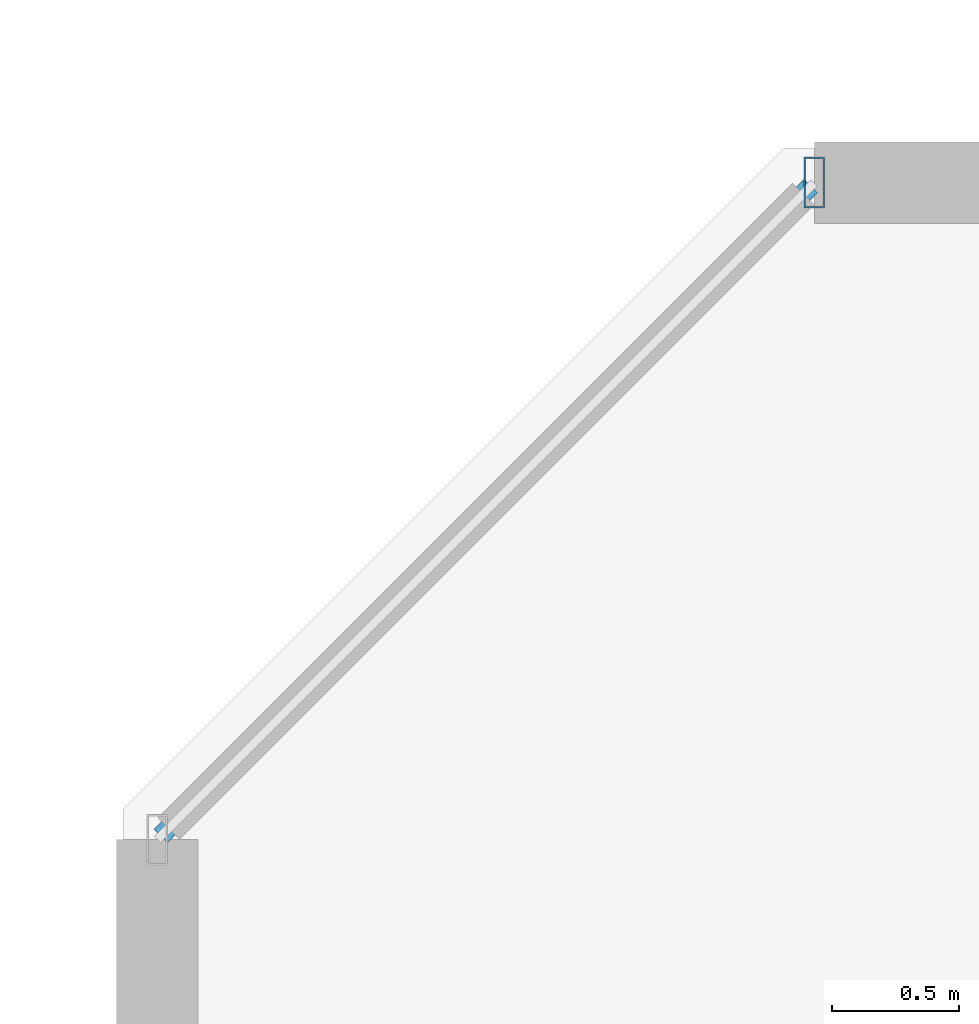
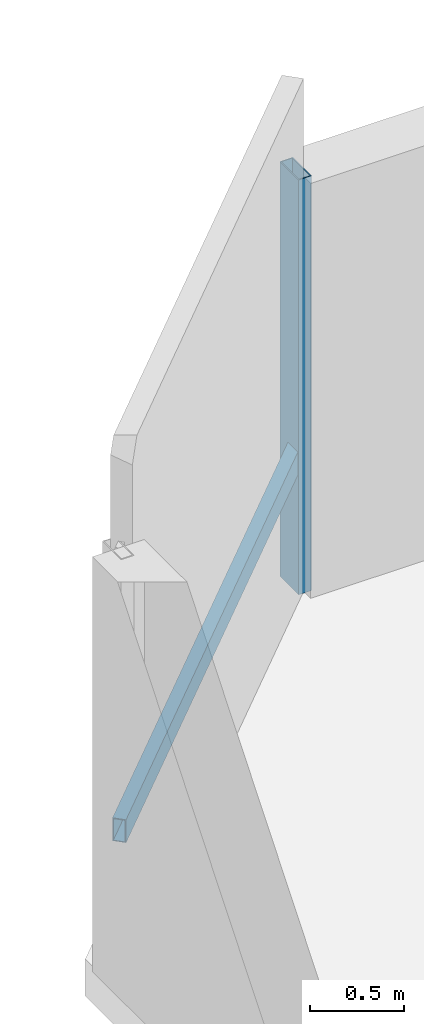
# One storey, part 11 of 33: 2 members, 1 element without a shape of its own.
"""IFC4 building model written with IfcOpenShell, lengths in metres."""

import ifcopenshell
import ifcopenshell.guid

model = None  # the IFC model being written
_history = None  # IfcOwnerHistory: only IFC2X3 demands one
_inside = {}  # id of a spatial element -> (the spatial element, [elements in it])
_under = {}  # id of a project, library or spatial element -> (it, [spatial elements below it])
_declared = {}  # id of a project -> (the project, [libraries it declares])
_typed = {}  # id of a type object -> (the type object, [elements of that type])
_made_of = {}  # id of a material, layer set ... -> (it, [elements and type objects made of it])


def new_model(schema):
    """Start an empty IFC model of exactly this schema.

    Asked for "IFC4X3", IfcOpenShell would pick the latest addendum, in which some entities
    have other attributes; the version numbers below select the first issue.
    IFC2X3 requires an IfcOwnerHistory on every rooted entity: one is made here for all.
    """
    global model, _history
    if schema == "IFC4X3":
        model = ifcopenshell.file(schema_version=(4, 3, 0, 0))
    else:
        model = ifcopenshell.file(schema=schema)
    _inside.clear()
    _under.clear()
    _declared.clear()
    _typed.clear()
    _made_of.clear()
    _history = None
    if model.schema == "IFC2X3":
        org = make("IfcOrganization", Name="unknown")
        user = make(
            "IfcPersonAndOrganization",
            ThePerson=make("IfcPerson", FamilyName="unknown"),
            TheOrganization=org,
        )
        app = make(
            "IfcApplication",
            ApplicationDeveloper=org,
            Version="unknown",
            ApplicationFullName="unknown",
            ApplicationIdentifier="unknown",
        )
        _history = make(
            "IfcOwnerHistory",
            OwningUser=user,
            OwningApplication=app,
            ChangeAction="ADDED",
            CreationDate=0,
        )
    return model


def make(cls, **values):
    """One entity of the class cls with the attributes given. An attribute that is None is left unset."""
    return model.create_entity(
        cls, **{name: value for name, value in values.items() if value is not None}
    )


def rooted(cls, **values):
    """An entity with a GlobalId (a new one), such as an element, a storey or a relation."""
    return make(cls, GlobalId=ifcopenshell.guid.new(), OwnerHistory=_history, **values)


def si_unit(unit_type, name, prefix=None):
    """IfcSIUnit, for example si_unit("LENGTHUNIT", "METRE", prefix="MILLI")."""
    return make("IfcSIUnit", UnitType=unit_type, Prefix=prefix, Name=name)


def assignment(units):
    """IfcUnitAssignment: the units of a project."""
    return None if units is None else make("IfcUnitAssignment", Units=units)


def point(xyz):
    """IfcCartesianPoint."""
    return None if xyz is None else make("IfcCartesianPoint", Coordinates=xyz)


def direction(xyz):
    """IfcDirection."""
    return None if xyz is None else make("IfcDirection", DirectionRatios=xyz)


def frame(location, z_axis=None, x_axis=None):
    """IfcAxis2Placement3D, a coordinate frame: its origin and axes. An axis left out is left unset."""
    return make(
        "IfcAxis2Placement3D",
        Location=point(location),
        Axis=direction(z_axis),
        RefDirection=direction(x_axis),
    )


def frame_2d(location, x_axis=None):
    """IfcAxis2Placement2D, a coordinate frame in the plane: its origin and x axis."""
    return make(
        "IfcAxis2Placement2D", Location=point(location), RefDirection=direction(x_axis)
    )


def origin():
    """The frame at (0, 0, 0) with its axes left unset."""
    return frame((0.0, 0.0, 0.0))


def origin_2d():
    """The frame at (0, 0) in the plane with its x axis left unset."""
    return frame_2d((0.0, 0.0))


def place(relative_to, where):
    """IfcLocalPlacement: puts the frame where relative to a parent placement (None: the world)."""
    return make(
        "IfcLocalPlacement", PlacementRelTo=relative_to, RelativePlacement=where
    )


def context(
    kind, dimensions, precision=None, world=None, true_north=None, identifier=None
):
    """IfcGeometricRepresentationContext, for example the 3D "Model" context."""
    return make(
        "IfcGeometricRepresentationContext",
        ContextIdentifier=identifier,
        ContextType=kind,
        CoordinateSpaceDimension=dimensions,
        Precision=precision,
        WorldCoordinateSystem=world,
        TrueNorth=true_north,
    )


def subcontext(parent, identifier, kind, view, scale=None):
    """IfcGeometricRepresentationSubContext, for example "Body" below "Model"."""
    return make(
        "IfcGeometricRepresentationSubContext",
        ContextIdentifier=identifier,
        ContextType=kind,
        ParentContext=parent,
        TargetScale=scale,
        TargetView=view,
    )


def project(units=None, contexts=None):
    """IfcProject with its units and contexts."""
    return rooted(
        "IfcProject",
        Name="project",
        RepresentationContexts=contexts,
        UnitsInContext=assignment(units),
    )


def spatial(cls, under=None, at=None, **own):
    """A site, building, storey or space (cls), placed at a placement, below another one or the project."""
    s = rooted(cls, ObjectPlacement=at, **own)
    if under is not None:
        _under.setdefault(under.id(), (under, []))[1].append(s)
    return s


def profile(cls, at=None, kind="AREA", **sizes):
    """A parametric profile (cls). Its sizes go by their IFC names, for example OverallWidth=200.0."""
    return make(cls, ProfileType=kind, Position=at, **sizes)


def hollow_rectangle(**sizes):
    """IfcRectangleHollowProfileDef."""
    return profile("IfcRectangleHollowProfileDef", **sizes)


def extrude(swept, where, along, depth):
    """IfcExtrudedAreaSolid: the profile swept, set in the frame where, extruded along a direction by depth."""
    return make(
        "IfcExtrudedAreaSolid",
        SweptArea=swept,
        Position=where,
        ExtrudedDirection=direction(along),
        Depth=depth,
    )


def shape(context_of_items, identifier, shape_type, items):
    """IfcShapeRepresentation: the items that make up one representation, for example the "Body"."""
    return make(
        "IfcShapeRepresentation",
        ContextOfItems=context_of_items,
        RepresentationIdentifier=identifier,
        RepresentationType=shape_type,
        Items=items,
    )


def material(Name=None, Category=None):
    """IfcMaterial."""
    return make("IfcMaterial", Name=Name, Category=Category)


def material_profile(
    of_material, cross_section, Name=None, Category=None, Priority=None
):
    """IfcMaterialProfile: a cross section and its material."""
    return make(
        "IfcMaterialProfile",
        Name=Name,
        Material=of_material,
        Profile=cross_section,
        Priority=Priority,
        Category=Category,
    )


def profile_set(profiles, Name=None, composite=None):
    """IfcMaterialProfileSet."""
    return make(
        "IfcMaterialProfileSet",
        Name=Name,
        MaterialProfiles=profiles,
        CompositeProfile=composite,
    )


def made_of(thing, what):
    """Note that an element or type object is made of a material, layer set ...; save() writes the relation."""
    if what is not None:
        _made_of.setdefault(what.id(), (what, []))[1].append(thing)
    return thing


def type_object(cls, material=None, **own):
    """A type object (cls), such as IfcWallType, which elements share."""
    return made_of(rooted(cls, **own), material)


def element(
    cls,
    number,
    at=None,
    inside=None,
    cuts=None,
    type_object=None,
    material=None,
    context=None,
    identifier="Body",
    shape_type=None,
    held_by="IfcProductDefinitionShape",
    body=None,
    shapes=None,
    **own,
):
    """One element of the class cls, such as IfcWall. Its Tag is "e" and its number.

    at: its placement. inside: the storey or other place that contains it. cuts: it is an
    opening in that element (IfcRelVoidsElement). A single representation is given by context,
    identifier, shape_type and body (its items); several are given by shapes. held_by: the class
    of the entity that holds the representations. save() writes the other relations.
    """
    e = rooted(cls, Tag="e%d" % number, ObjectPlacement=at, **own)
    if body is not None:
        shapes = [shape(context, identifier, shape_type, body)]
    if shapes is not None:
        e.Representation = make(held_by, Representations=shapes)
    if inside is not None:
        _inside.setdefault(inside.id(), (inside, []))[1].append(e)
    if cuts is not None:
        rooted(
            "IfcRelVoidsElement", RelatingBuildingElement=cuts, RelatedOpeningElement=e
        )
    if type_object is not None:
        _typed.setdefault(type_object.id(), (type_object, []))[1].append(e)
    return made_of(e, material)


def aggregate(whole, parts):
    """IfcRelAggregates: a whole, such as a stair, and the parts it consists of."""
    return rooted("IfcRelAggregates", RelatingObject=whole, RelatedObjects=parts)


def save(model, path):
    """Write the relations noted so far, then the file.

    IfcRelAggregates (storeys below a building ...), IfcRelContainedInSpatialStructure (elements
    in a storey), IfcRelDefinesByType, IfcRelAssociatesMaterial and IfcRelDeclares: one each for
    every whole, place, type object, material and project.
    """
    for whole, parts in _under.values():
        aggregate(whole, parts)
    for where, things in _inside.values():
        rooted(
            "IfcRelContainedInSpatialStructure",
            RelatedElements=things,
            RelatingStructure=where,
        )
    for kind, things in _typed.values():
        rooted("IfcRelDefinesByType", RelatedObjects=things, RelatingType=kind)
    for what, things in _made_of.values():
        rooted("IfcRelAssociatesMaterial", RelatedObjects=things, RelatingMaterial=what)
    for by, libraries in _declared.values():
        rooted("IfcRelDeclares", RelatingContext=by, RelatedDefinitions=libraries)
    model.write(path)


model = new_model("IFC4")

# Units and contexts
model_context = context("Model", 3, precision=1e-05, world=origin(), true_north=direction((0.0, 1.0)))
body_context = subcontext(model_context, "Body", "Model", "MODEL_VIEW")
ifc_project = project(units=[si_unit("LENGTHUNIT", "METRE"), si_unit("AREAUNIT", "SQUARE_METRE"), si_unit("VOLUMEUNIT", "CUBIC_METRE"), si_unit("PLANEANGLEUNIT", "RADIAN"), si_unit("MASSUNIT", "GRAM", prefix="KILO")], contexts=[model_context])

# Site, building, storey
site_placement = place(None, origin())
site = spatial("IfcSite", under=ifc_project, at=site_placement, CompositionType="ELEMENT")
building_placement = place(site_placement, origin())
building = spatial("IfcBuilding", under=site, at=building_placement, Name="Thornwick Lancets Civic Towers", CompositionType="ELEMENT")
storey_placement = place(building_placement, frame((0.0, 0.0, 192.89990234375)))
storey = spatial("IfcBuildingStorey", under=building, at=storey_placement, Name="L51", CompositionType="ELEMENT", Elevation=192.89990234375)

# Curtain wall, members
ifc_material_1 = material(Name="Mid-zone chamfered-corner unitised glass curtain wall", Category="glass")
curtain_wall_type = type_object("IfcCurtainWallType", Name="CW_SYS_04", PredefinedType="NOTDEFINED", material=ifc_material_1)
curtain_wall_placement = place(storey_placement, origin())
curtain_wall = element("IfcCurtainWall", 1, at=curtain_wall_placement, inside=storey, type_object=curtain_wall_type, Name="L51 Curtain Wall CW-L51-B-E5", PredefinedType="NOTDEFINED")
ifc_material_2 = material(Name="Thermally broken bronze aluminium S355", Category="steel")
ifc_material_profile_1 = material_profile(ifc_material_2, hollow_rectangle(XDim=0.080078125, YDim=0.199951171875, WallThickness=0.006103515625, at=origin_2d()), Name="RHS 200x80x6")
ifc_profile_set_1 = profile_set([ifc_material_profile_1], Name="Thermally broken bronze aluminium S355")
member_type_1 = type_object("IfcMemberType", Name="CW_MUL_200", PredefinedType="MULLION", material=ifc_profile_set_1)
member_1_placement = place(storey_placement, frame((67.318603515625, 50.7646484375, 0.0), z_axis=(0.0, 0.0, 1.0), x_axis=(1.0, 0.0, 0.0)))
member_1 = element("IfcMember", 2, at=member_1_placement, type_object=member_type_1, Name="CW-L51-B-E5 Mullion 0", PredefinedType="MULLION", context=body_context, shape_type="SweptSolid", body=[
    extrude(hollow_rectangle(XDim=0.080078125, YDim=0.199951171875, WallThickness=0.006103515625, at=origin_2d()), origin(), (0.0, 0.0, 1.0), 2.7001953125),
])
ifc_material_profile_2 = material_profile(ifc_material_2, hollow_rectangle(XDim=0.074951171875, YDim=0.14990234375, WallThickness=0.0048828125, at=origin_2d()), Name="RHS 150x75x5")
ifc_profile_set_2 = profile_set([ifc_material_profile_2], Name="Thermally broken bronze aluminium S355")
member_type_2 = type_object("IfcMemberType", Name="CW_TRN_150", PredefinedType="USERDEFINED", material=ifc_profile_set_2)
member_2_placement = place(storey_placement, frame((67.304443359375, 50.75048828125, 0.85009765625), z_axis=(-0.707106781187, -0.707106781187, 0.0), x_axis=(0.707106781187, -0.707106781187, 0.0)))
member_2 = element("IfcMember", 3, at=member_2_placement, type_object=member_type_2, Name="CW-L51-B-E5 Transom 0", ObjectType="TRANSOM", PredefinedType="USERDEFINED", context=body_context, shape_type="SweptSolid", body=[
    extrude(hollow_rectangle(XDim=0.074951171875, YDim=0.14990234375, WallThickness=0.0048828125, at=origin_2d()), origin(), (0.0, 0.0, 1.0), 3.61328125),
])
aggregate(curtain_wall, [member_1, member_2])

save(model, "model.ifc")
